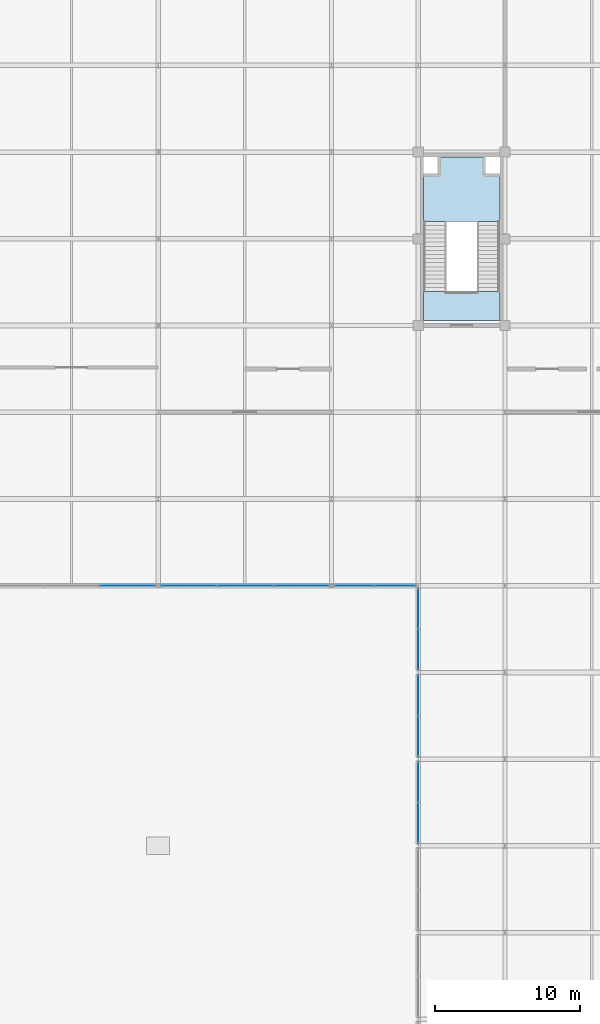
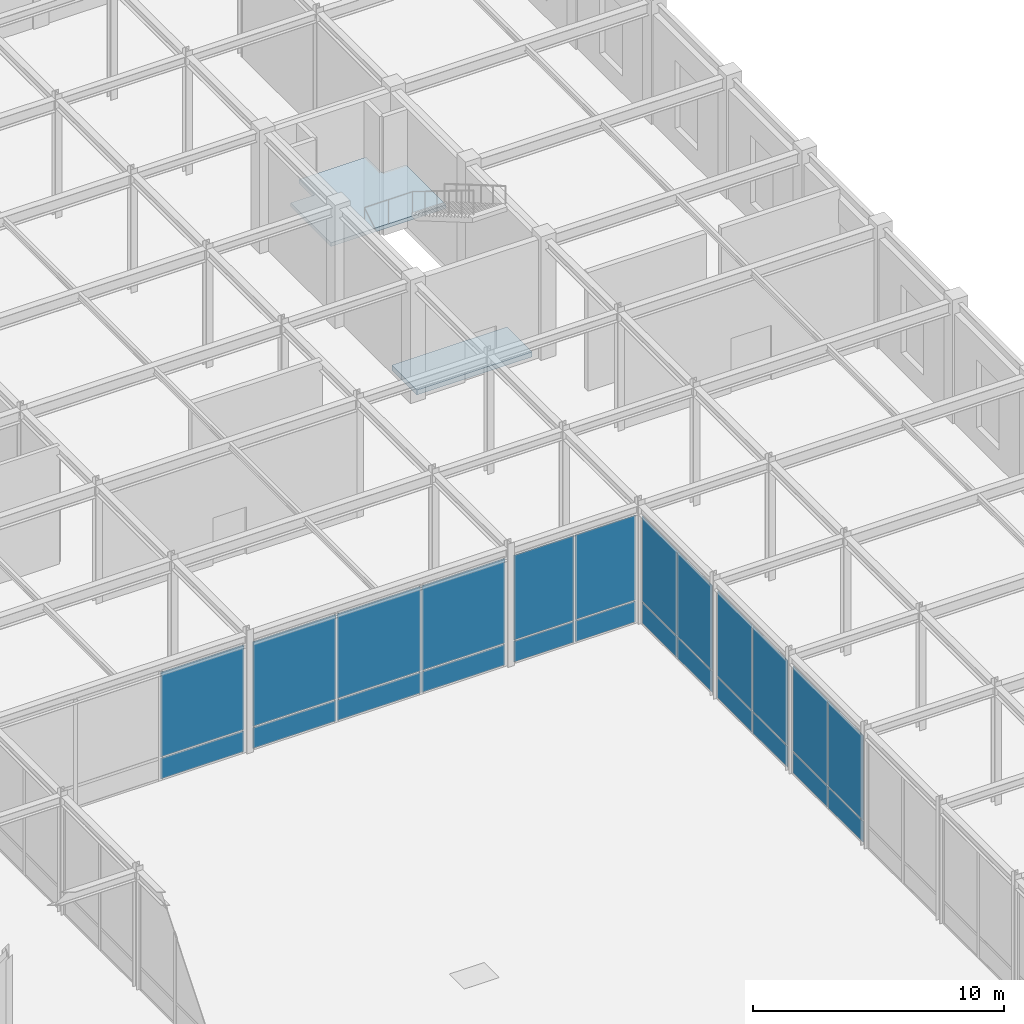
# One storey, part 96 of 108: 24 plates, 2 slabs, 7 elements without a shape of their own.
"""IFC4 building model written with IfcOpenShell, lengths in metres."""

import ifcopenshell
import ifcopenshell.guid

model = None  # the IFC model being written
_history = None  # IfcOwnerHistory: only IFC2X3 demands one
_inside = {}  # id of a spatial element -> (the spatial element, [elements in it])
_under = {}  # id of a project, library or spatial element -> (it, [spatial elements below it])
_declared = {}  # id of a project -> (the project, [libraries it declares])
_typed = {}  # id of a type object -> (the type object, [elements of that type])
_made_of = {}  # id of a material, layer set ... -> (it, [elements and type objects made of it])


def new_model(schema):
    """Start an empty IFC model of exactly this schema.

    Asked for "IFC4X3", IfcOpenShell would pick the latest addendum, in which some entities
    have other attributes; the version numbers below select the first issue.
    IFC2X3 requires an IfcOwnerHistory on every rooted entity: one is made here for all.
    """
    global model, _history
    if schema == "IFC4X3":
        model = ifcopenshell.file(schema_version=(4, 3, 0, 0))
    else:
        model = ifcopenshell.file(schema=schema)
    _inside.clear()
    _under.clear()
    _declared.clear()
    _typed.clear()
    _made_of.clear()
    _history = None
    if model.schema == "IFC2X3":
        org = make("IfcOrganization", Name="unknown")
        user = make(
            "IfcPersonAndOrganization",
            ThePerson=make("IfcPerson", FamilyName="unknown"),
            TheOrganization=org,
        )
        app = make(
            "IfcApplication",
            ApplicationDeveloper=org,
            Version="unknown",
            ApplicationFullName="unknown",
            ApplicationIdentifier="unknown",
        )
        _history = make(
            "IfcOwnerHistory",
            OwningUser=user,
            OwningApplication=app,
            ChangeAction="ADDED",
            CreationDate=0,
        )
    return model


def make(cls, **values):
    """One entity of the class cls with the attributes given. An attribute that is None is left unset."""
    return model.create_entity(
        cls, **{name: value for name, value in values.items() if value is not None}
    )


def rooted(cls, **values):
    """An entity with a GlobalId (a new one), such as an element, a storey or a relation."""
    return make(cls, GlobalId=ifcopenshell.guid.new(), OwnerHistory=_history, **values)


def si_unit(unit_type, name, prefix=None):
    """IfcSIUnit, for example si_unit("LENGTHUNIT", "METRE", prefix="MILLI")."""
    return make("IfcSIUnit", UnitType=unit_type, Prefix=prefix, Name=name)


def assignment(units):
    """IfcUnitAssignment: the units of a project."""
    return None if units is None else make("IfcUnitAssignment", Units=units)


def point(xyz):
    """IfcCartesianPoint."""
    return None if xyz is None else make("IfcCartesianPoint", Coordinates=xyz)


def direction(xyz):
    """IfcDirection."""
    return None if xyz is None else make("IfcDirection", DirectionRatios=xyz)


def frame(location, z_axis=None, x_axis=None):
    """IfcAxis2Placement3D, a coordinate frame: its origin and axes. An axis left out is left unset."""
    return make(
        "IfcAxis2Placement3D",
        Location=point(location),
        Axis=direction(z_axis),
        RefDirection=direction(x_axis),
    )


def frame_2d(location, x_axis=None):
    """IfcAxis2Placement2D, a coordinate frame in the plane: its origin and x axis."""
    return make(
        "IfcAxis2Placement2D", Location=point(location), RefDirection=direction(x_axis)
    )


def origin():
    """The frame at (0, 0, 0) with its axes left unset."""
    return frame((0.0, 0.0, 0.0))


def origin_2d():
    """The frame at (0, 0) in the plane with its x axis left unset."""
    return frame_2d((0.0, 0.0))


def place(relative_to, where):
    """IfcLocalPlacement: puts the frame where relative to a parent placement (None: the world)."""
    return make(
        "IfcLocalPlacement", PlacementRelTo=relative_to, RelativePlacement=where
    )


def context(
    kind, dimensions, precision=None, world=None, true_north=None, identifier=None
):
    """IfcGeometricRepresentationContext, for example the 3D "Model" context."""
    return make(
        "IfcGeometricRepresentationContext",
        ContextIdentifier=identifier,
        ContextType=kind,
        CoordinateSpaceDimension=dimensions,
        Precision=precision,
        WorldCoordinateSystem=world,
        TrueNorth=true_north,
    )


def subcontext(parent, identifier, kind, view, scale=None):
    """IfcGeometricRepresentationSubContext, for example "Body" below "Model"."""
    return make(
        "IfcGeometricRepresentationSubContext",
        ContextIdentifier=identifier,
        ContextType=kind,
        ParentContext=parent,
        TargetScale=scale,
        TargetView=view,
    )


def project(units=None, contexts=None):
    """IfcProject with its units and contexts."""
    return rooted(
        "IfcProject",
        Name="project",
        RepresentationContexts=contexts,
        UnitsInContext=assignment(units),
    )


def spatial(cls, under=None, at=None, **own):
    """A site, building, storey or space (cls), placed at a placement, below another one or the project."""
    s = rooted(cls, ObjectPlacement=at, **own)
    if under is not None:
        _under.setdefault(under.id(), (under, []))[1].append(s)
    return s


def polyline(points):
    """IfcPolyline through the points."""
    return make("IfcPolyline", Points=[point(p) for p in points])


def profile(cls, at=None, kind="AREA", **sizes):
    """A parametric profile (cls). Its sizes go by their IFC names, for example OverallWidth=200.0."""
    return make(cls, ProfileType=kind, Position=at, **sizes)


def rectangle(**sizes):
    """IfcRectangleProfileDef."""
    return profile("IfcRectangleProfileDef", **sizes)


def outline(outer, holes=None, kind="AREA"):
    """IfcArbitraryClosedProfileDef: a profile drawn as a closed curve; with holes, ...WithVoids."""
    if holes is None:
        return make("IfcArbitraryClosedProfileDef", ProfileType=kind, OuterCurve=outer)
    return make(
        "IfcArbitraryProfileDefWithVoids",
        ProfileType=kind,
        OuterCurve=outer,
        InnerCurves=holes,
    )


def extrude(swept, where, along, depth):
    """IfcExtrudedAreaSolid: the profile swept, set in the frame where, extruded along a direction by depth."""
    return make(
        "IfcExtrudedAreaSolid",
        SweptArea=swept,
        Position=where,
        ExtrudedDirection=direction(along),
        Depth=depth,
    )


def shape(context_of_items, identifier, shape_type, items):
    """IfcShapeRepresentation: the items that make up one representation, for example the "Body"."""
    return make(
        "IfcShapeRepresentation",
        ContextOfItems=context_of_items,
        RepresentationIdentifier=identifier,
        RepresentationType=shape_type,
        Items=items,
    )


def material(Name=None, Category=None):
    """IfcMaterial."""
    return make("IfcMaterial", Name=Name, Category=Category)


def layer(
    of_material, thickness, ventilated=None, Name=None, Category=None, Priority=None
):
    """IfcMaterialLayer: one layer of a wall or slab, of a material (None: an air gap)."""
    return make(
        "IfcMaterialLayer",
        Material=of_material,
        LayerThickness=thickness,
        IsVentilated=ventilated,
        Name=Name,
        Category=Category,
        Priority=Priority,
    )


def layer_set(layers, Name=None):
    """IfcMaterialLayerSet."""
    return make("IfcMaterialLayerSet", MaterialLayers=layers, LayerSetName=Name)


def made_of(thing, what):
    """Note that an element or type object is made of a material, layer set ...; save() writes the relation."""
    if what is not None:
        _made_of.setdefault(what.id(), (what, []))[1].append(thing)
    return thing


def type_object(cls, material=None, **own):
    """A type object (cls), such as IfcWallType, which elements share."""
    return made_of(rooted(cls, **own), material)


def element(
    cls,
    number,
    at=None,
    inside=None,
    cuts=None,
    type_object=None,
    material=None,
    context=None,
    identifier="Body",
    shape_type=None,
    held_by="IfcProductDefinitionShape",
    body=None,
    shapes=None,
    **own,
):
    """One element of the class cls, such as IfcWall. Its Tag is "e" and its number.

    at: its placement. inside: the storey or other place that contains it. cuts: it is an
    opening in that element (IfcRelVoidsElement). A single representation is given by context,
    identifier, shape_type and body (its items); several are given by shapes. held_by: the class
    of the entity that holds the representations. save() writes the other relations.
    """
    e = rooted(cls, Tag="e%d" % number, ObjectPlacement=at, **own)
    if body is not None:
        shapes = [shape(context, identifier, shape_type, body)]
    if shapes is not None:
        e.Representation = make(held_by, Representations=shapes)
    if inside is not None:
        _inside.setdefault(inside.id(), (inside, []))[1].append(e)
    if cuts is not None:
        rooted(
            "IfcRelVoidsElement", RelatingBuildingElement=cuts, RelatedOpeningElement=e
        )
    if type_object is not None:
        _typed.setdefault(type_object.id(), (type_object, []))[1].append(e)
    return made_of(e, material)


def aggregate(whole, parts):
    """IfcRelAggregates: a whole, such as a stair, and the parts it consists of."""
    return rooted("IfcRelAggregates", RelatingObject=whole, RelatedObjects=parts)


def save(model, path):
    """Write the relations noted so far, then the file.

    IfcRelAggregates (storeys below a building ...), IfcRelContainedInSpatialStructure (elements
    in a storey), IfcRelDefinesByType, IfcRelAssociatesMaterial and IfcRelDeclares: one each for
    every whole, place, type object, material and project.
    """
    for whole, parts in _under.values():
        aggregate(whole, parts)
    for where, things in _inside.values():
        rooted(
            "IfcRelContainedInSpatialStructure",
            RelatedElements=things,
            RelatingStructure=where,
        )
    for kind, things in _typed.values():
        rooted("IfcRelDefinesByType", RelatedObjects=things, RelatingType=kind)
    for what, things in _made_of.values():
        rooted("IfcRelAssociatesMaterial", RelatedObjects=things, RelatingMaterial=what)
    for by, libraries in _declared.values():
        rooted("IfcRelDeclares", RelatingContext=by, RelatedDefinitions=libraries)
    model.write(path)


model = new_model("IFC4")

# Units and contexts
model_context = context("Model", 3, precision=1e-05, world=origin(), true_north=direction((0.0, 1.0)))
body_context = subcontext(model_context, "Body", "Model", "MODEL_VIEW")
ifc_project = project(units=[si_unit("LENGTHUNIT", "METRE"), si_unit("AREAUNIT", "SQUARE_METRE"), si_unit("VOLUMEUNIT", "CUBIC_METRE"), si_unit("PLANEANGLEUNIT", "RADIAN"), si_unit("MASSUNIT", "GRAM", prefix="KILO")], contexts=[model_context])

# Site, building, storey
site_placement = place(None, origin())
site = spatial("IfcSite", under=ifc_project, at=site_placement, CompositionType="ELEMENT")
building_placement = place(site_placement, origin())
building = spatial("IfcBuilding", under=site, at=building_placement, Name="Zlatovratsky Civic Hall", CompositionType="ELEMENT")
storey_placement = place(building_placement, frame((0.0, 0.0, 6.0)))
storey = spatial("IfcBuildingStorey", under=building, at=storey_placement, Name="L02", CompositionType="ELEMENT", Elevation=6.0)

# Curtain wall, plates
ifc_material_1 = material(Name="Anodised bronze aluminium", Category="aluminium")
ifc_layer_1 = layer(ifc_material_1, 0.159912109375)
ifc_layer_set_1 = layer_set([ifc_layer_1], Name="Anodised bronze aluminium")
curtain_wall_type_1 = type_object("IfcCurtainWallType", Name="CurtainWall_Bronze_11700x5310_05", PredefinedType="NOTDEFINED", material=ifc_layer_set_1)
curtain_wall_1_placement = place(storey_placement, origin())
curtain_wall_1 = element("IfcCurtainWall", 1, at=curtain_wall_1_placement, inside=storey, type_object=curtain_wall_type_1, Name="CW-030", PredefinedType="NOTDEFINED")
ifc_material_2 = material(Name="Low-E laminated double glazing", Category="glass")
ifc_layer_2 = layer(ifc_material_2, 0.02392578125)
ifc_layer_set_2 = layer_set([ifc_layer_2], Name="Low-E laminated double glazing")
plate_type = type_object("IfcPlateType", Name="Panel_CourtGlazing_24", PredefinedType="CURTAIN_PANEL", material=ifc_layer_set_2)
plate_1_placement = place(storey_placement, frame((129.885009765625, 66.0, 0.06005859375), z_axis=(0.0, 0.0, 1.0), x_axis=(1.0, 0.0, 0.0)))
plate_1 = element("IfcPlate", 2, at=plate_1_placement, type_object=plate_type, Name="CW-05 panel 3.1", PredefinedType="CURTAIN_PANEL", context=body_context, shape_type="SweptSolid", body=[
    extrude(rectangle(XDim=3.81005859375, YDim=0.02392578125, at=origin_2d()), origin(), (0.0, 0.0, 1.0), 1.010009765625),
])
plate_2_placement = place(storey_placement, frame((129.885009765625, 66.0, 1.1298828125), z_axis=(0.0, 0.0, 1.0), x_axis=(1.0, 0.0, 0.0)))
plate_2 = element("IfcPlate", 3, at=plate_2_placement, type_object=plate_type, Name="CW-05 panel 3.2", PredefinedType="CURTAIN_PANEL", context=body_context, shape_type="SweptSolid", body=[
    extrude(rectangle(XDim=3.81005859375, YDim=0.02392578125, at=origin_2d()), origin(), (0.0, 0.0, 1.0), 4.1201171875),
])
aggregate(curtain_wall_1, [plate_1, plate_2])

curtain_wall_2_placement = place(storey_placement, origin())
curtain_wall_2 = element("IfcCurtainWall", 4, at=curtain_wall_2_placement, inside=storey, type_object=curtain_wall_type_1, Name="CW-031", PredefinedType="NOTDEFINED")
plate_3_placement = place(storey_placement, frame((134.114990234375, 66.0, 0.06005859375), z_axis=(0.0, 0.0, 1.0), x_axis=(1.0, 0.0, 0.0)))
plate_3 = element("IfcPlate", 5, at=plate_3_placement, type_object=plate_type, Name="CW-05 panel 1.1", PredefinedType="CURTAIN_PANEL", context=body_context, shape_type="SweptSolid", body=[
    extrude(rectangle(XDim=3.81005859375, YDim=0.02392578125, at=origin_2d()), origin(), (0.0, 0.0, 1.0), 1.010009765625),
])
plate_4_placement = place(storey_placement, frame((134.114990234375, 66.0, 1.1298828125), z_axis=(0.0, 0.0, 1.0), x_axis=(1.0, 0.0, 0.0)))
plate_4 = element("IfcPlate", 6, at=plate_4_placement, type_object=plate_type, Name="CW-05 panel 1.2", PredefinedType="CURTAIN_PANEL", context=body_context, shape_type="SweptSolid", body=[
    extrude(rectangle(XDim=3.81005859375, YDim=0.02392578125, at=origin_2d()), origin(), (0.0, 0.0, 1.0), 4.1201171875),
])
plate_5_placement = place(storey_placement, frame((138.0, 66.0, 0.06005859375), z_axis=(0.0, 0.0, 1.0), x_axis=(1.0, 0.0, 0.0)))
plate_5 = element("IfcPlate", 7, at=plate_5_placement, type_object=plate_type, Name="CW-05 panel 2.1", PredefinedType="CURTAIN_PANEL", context=body_context, shape_type="SweptSolid", body=[
    extrude(rectangle(XDim=3.840087890625, YDim=0.02392578125, at=origin_2d()), origin(), (0.0, 0.0, 1.0), 1.010009765625),
])
plate_6_placement = place(storey_placement, frame((138.0, 66.0, 1.1298828125), z_axis=(0.0, 0.0, 1.0), x_axis=(1.0, 0.0, 0.0)))
plate_6 = element("IfcPlate", 8, at=plate_6_placement, type_object=plate_type, Name="CW-05 panel 2.2", PredefinedType="CURTAIN_PANEL", context=body_context, shape_type="SweptSolid", body=[
    extrude(rectangle(XDim=3.840087890625, YDim=0.02392578125, at=origin_2d()), origin(), (0.0, 0.0, 1.0), 4.1201171875),
])
plate_7_placement = place(storey_placement, frame((141.885009765625, 66.0, 0.06005859375), z_axis=(0.0, 0.0, 1.0), x_axis=(1.0, 0.0, 0.0)))
plate_7 = element("IfcPlate", 9, at=plate_7_placement, type_object=plate_type, Name="CW-05 panel 3.1", PredefinedType="CURTAIN_PANEL", context=body_context, shape_type="SweptSolid", body=[
    extrude(rectangle(XDim=3.81005859375, YDim=0.02392578125, at=origin_2d()), origin(), (0.0, 0.0, 1.0), 1.010009765625),
])
plate_8_placement = place(storey_placement, frame((141.885009765625, 66.0, 1.1298828125), z_axis=(0.0, 0.0, 1.0), x_axis=(1.0, 0.0, 0.0)))
plate_8 = element("IfcPlate", 10, at=plate_8_placement, type_object=plate_type, Name="CW-05 panel 3.2", PredefinedType="CURTAIN_PANEL", context=body_context, shape_type="SweptSolid", body=[
    extrude(rectangle(XDim=3.81005859375, YDim=0.02392578125, at=origin_2d()), origin(), (0.0, 0.0, 1.0), 4.1201171875),
])
aggregate(curtain_wall_2, [plate_3, plate_4, plate_5, plate_6, plate_7, plate_8])

ifc_layer_3 = layer(ifc_material_1, 0.159912109375)
ifc_layer_set_3 = layer_set([ifc_layer_3], Name="Anodised bronze aluminium")
curtain_wall_type_2 = type_object("IfcCurtainWallType", Name="CurtainWall_Bronze_5700x5310_06", PredefinedType="NOTDEFINED", material=ifc_layer_set_3)
curtain_wall_3_placement = place(storey_placement, origin())
curtain_wall_3 = element("IfcCurtainWall", 11, at=curtain_wall_3_placement, inside=storey, type_object=curtain_wall_type_2, Name="CW-032", PredefinedType="NOTDEFINED")
plate_9_placement = place(storey_placement, frame((145.590087890625, 66.0, 0.06005859375), z_axis=(0.0, 0.0, 1.0), x_axis=(1.0, 0.0, 0.0)))
plate_9 = element("IfcPlate", 12, at=plate_9_placement, type_object=plate_type, Name="CW-06 panel 1.1", PredefinedType="CURTAIN_PANEL", context=body_context, shape_type="SweptSolid", body=[
    extrude(rectangle(XDim=2.760009765625, YDim=0.02392578125, at=origin_2d()), origin(), (0.0, 0.0, 1.0), 1.010009765625),
])
plate_10_placement = place(storey_placement, frame((145.590087890625, 66.0, 1.1298828125), z_axis=(0.0, 0.0, 1.0), x_axis=(1.0, 0.0, 0.0)))
plate_10 = element("IfcPlate", 13, at=plate_10_placement, type_object=plate_type, Name="CW-06 panel 1.2", PredefinedType="CURTAIN_PANEL", context=body_context, shape_type="SweptSolid", body=[
    extrude(rectangle(XDim=2.760009765625, YDim=0.02392578125, at=origin_2d()), origin(), (0.0, 0.0, 1.0), 4.1201171875),
])
plate_11_placement = place(storey_placement, frame((148.409912109375, 66.0, 0.06005859375), z_axis=(0.0, 0.0, 1.0), x_axis=(1.0, 0.0, 0.0)))
plate_11 = element("IfcPlate", 14, at=plate_11_placement, type_object=plate_type, Name="CW-06 panel 2.1", PredefinedType="CURTAIN_PANEL", context=body_context, shape_type="SweptSolid", body=[
    extrude(rectangle(XDim=2.760009765625, YDim=0.02392578125, at=origin_2d()), origin(), (0.0, 0.0, 1.0), 1.010009765625),
])
plate_12_placement = place(storey_placement, frame((148.409912109375, 66.0, 1.1298828125), z_axis=(0.0, 0.0, 1.0), x_axis=(1.0, 0.0, 0.0)))
plate_12 = element("IfcPlate", 15, at=plate_12_placement, type_object=plate_type, Name="CW-06 panel 2.2", PredefinedType="CURTAIN_PANEL", context=body_context, shape_type="SweptSolid", body=[
    extrude(rectangle(XDim=2.760009765625, YDim=0.02392578125, at=origin_2d()), origin(), (0.0, 0.0, 1.0), 4.1201171875),
])
aggregate(curtain_wall_3, [plate_9, plate_10, plate_11, plate_12])

curtain_wall_4_placement = place(storey_placement, origin())
curtain_wall_4 = element("IfcCurtainWall", 16, at=curtain_wall_4_placement, inside=storey, type_object=curtain_wall_type_2, Name="CW-042", PredefinedType="NOTDEFINED")
plate_13_placement = place(storey_placement, frame((150.0, 49.590087890625, 0.06005859375), z_axis=(0.0, 0.0, 1.0), x_axis=(0.0, 1.0, 0.0)))
plate_13 = element("IfcPlate", 17, at=plate_13_placement, type_object=plate_type, Name="CW-06 panel 1.1", PredefinedType="CURTAIN_PANEL", context=body_context, shape_type="SweptSolid", body=[
    extrude(rectangle(XDim=2.760009765625, YDim=0.02392578125, at=origin_2d()), origin(), (0.0, 0.0, 1.0), 1.010009765625),
])
plate_14_placement = place(storey_placement, frame((150.0, 49.590087890625, 1.1298828125), z_axis=(0.0, 0.0, 1.0), x_axis=(0.0, 1.0, 0.0)))
plate_14 = element("IfcPlate", 18, at=plate_14_placement, type_object=plate_type, Name="CW-06 panel 1.2", PredefinedType="CURTAIN_PANEL", context=body_context, shape_type="SweptSolid", body=[
    extrude(rectangle(XDim=2.760009765625, YDim=0.02392578125, at=origin_2d()), origin(), (0.0, 0.0, 1.0), 4.1201171875),
])
plate_15_placement = place(storey_placement, frame((150.0, 52.409912109375, 0.06005859375), z_axis=(0.0, 0.0, 1.0), x_axis=(0.0, 1.0, 0.0)))
plate_15 = element("IfcPlate", 19, at=plate_15_placement, type_object=plate_type, Name="CW-06 panel 2.1", PredefinedType="CURTAIN_PANEL", context=body_context, shape_type="SweptSolid", body=[
    extrude(rectangle(XDim=2.760009765625, YDim=0.02392578125, at=origin_2d()), origin(), (0.0, 0.0, 1.0), 1.010009765625),
])
plate_16_placement = place(storey_placement, frame((150.0, 52.409912109375, 1.1298828125), z_axis=(0.0, 0.0, 1.0), x_axis=(0.0, 1.0, 0.0)))
plate_16 = element("IfcPlate", 20, at=plate_16_placement, type_object=plate_type, Name="CW-06 panel 2.2", PredefinedType="CURTAIN_PANEL", context=body_context, shape_type="SweptSolid", body=[
    extrude(rectangle(XDim=2.760009765625, YDim=0.02392578125, at=origin_2d()), origin(), (0.0, 0.0, 1.0), 4.1201171875),
])
aggregate(curtain_wall_4, [plate_13, plate_14, plate_15, plate_16])

curtain_wall_5_placement = place(storey_placement, origin())
curtain_wall_5 = element("IfcCurtainWall", 21, at=curtain_wall_5_placement, inside=storey, type_object=curtain_wall_type_2, Name="CW-043", PredefinedType="NOTDEFINED")
plate_17_placement = place(storey_placement, frame((150.0, 55.590087890625, 0.06005859375), z_axis=(0.0, 0.0, 1.0), x_axis=(0.0, 1.0, 0.0)))
plate_17 = element("IfcPlate", 22, at=plate_17_placement, type_object=plate_type, Name="CW-06 panel 1.1", PredefinedType="CURTAIN_PANEL", context=body_context, shape_type="SweptSolid", body=[
    extrude(rectangle(XDim=2.760009765625, YDim=0.02392578125, at=origin_2d()), origin(), (0.0, 0.0, 1.0), 1.010009765625),
])
plate_18_placement = place(storey_placement, frame((150.0, 55.590087890625, 1.1298828125), z_axis=(0.0, 0.0, 1.0), x_axis=(0.0, 1.0, 0.0)))
plate_18 = element("IfcPlate", 23, at=plate_18_placement, type_object=plate_type, Name="CW-06 panel 1.2", PredefinedType="CURTAIN_PANEL", context=body_context, shape_type="SweptSolid", body=[
    extrude(rectangle(XDim=2.760009765625, YDim=0.02392578125, at=origin_2d()), origin(), (0.0, 0.0, 1.0), 4.1201171875),
])
plate_19_placement = place(storey_placement, frame((150.0, 58.409912109375, 0.06005859375), z_axis=(0.0, 0.0, 1.0), x_axis=(0.0, 1.0, 0.0)))
plate_19 = element("IfcPlate", 24, at=plate_19_placement, type_object=plate_type, Name="CW-06 panel 2.1", PredefinedType="CURTAIN_PANEL", context=body_context, shape_type="SweptSolid", body=[
    extrude(rectangle(XDim=2.760009765625, YDim=0.02392578125, at=origin_2d()), origin(), (0.0, 0.0, 1.0), 1.010009765625),
])
plate_20_placement = place(storey_placement, frame((150.0, 58.409912109375, 1.1298828125), z_axis=(0.0, 0.0, 1.0), x_axis=(0.0, 1.0, 0.0)))
plate_20 = element("IfcPlate", 25, at=plate_20_placement, type_object=plate_type, Name="CW-06 panel 2.2", PredefinedType="CURTAIN_PANEL", context=body_context, shape_type="SweptSolid", body=[
    extrude(rectangle(XDim=2.760009765625, YDim=0.02392578125, at=origin_2d()), origin(), (0.0, 0.0, 1.0), 4.1201171875),
])
aggregate(curtain_wall_5, [plate_17, plate_18, plate_19, plate_20])

curtain_wall_6_placement = place(storey_placement, origin())
curtain_wall_6 = element("IfcCurtainWall", 26, at=curtain_wall_6_placement, inside=storey, type_object=curtain_wall_type_2, Name="CW-044", PredefinedType="NOTDEFINED")
plate_21_placement = place(storey_placement, frame((150.0, 61.590087890625, 0.06005859375), z_axis=(0.0, 0.0, 1.0), x_axis=(0.0, 1.0, 0.0)))
plate_21 = element("IfcPlate", 27, at=plate_21_placement, type_object=plate_type, Name="CW-06 panel 1.1", PredefinedType="CURTAIN_PANEL", context=body_context, shape_type="SweptSolid", body=[
    extrude(rectangle(XDim=2.760009765625, YDim=0.02392578125, at=origin_2d()), origin(), (0.0, 0.0, 1.0), 1.010009765625),
])
plate_22_placement = place(storey_placement, frame((150.0, 61.590087890625, 1.1298828125), z_axis=(0.0, 0.0, 1.0), x_axis=(0.0, 1.0, 0.0)))
plate_22 = element("IfcPlate", 28, at=plate_22_placement, type_object=plate_type, Name="CW-06 panel 1.2", PredefinedType="CURTAIN_PANEL", context=body_context, shape_type="SweptSolid", body=[
    extrude(rectangle(XDim=2.760009765625, YDim=0.02392578125, at=origin_2d()), origin(), (0.0, 0.0, 1.0), 4.1201171875),
])
plate_23_placement = place(storey_placement, frame((150.0, 64.409912109375, 0.06005859375), z_axis=(0.0, 0.0, 1.0), x_axis=(0.0, 1.0, 0.0)))
plate_23 = element("IfcPlate", 29, at=plate_23_placement, type_object=plate_type, Name="CW-06 panel 2.1", PredefinedType="CURTAIN_PANEL", context=body_context, shape_type="SweptSolid", body=[
    extrude(rectangle(XDim=2.760009765625, YDim=0.02392578125, at=origin_2d()), origin(), (0.0, 0.0, 1.0), 1.010009765625),
])
plate_24_placement = place(storey_placement, frame((150.0, 64.409912109375, 1.1298828125), z_axis=(0.0, 0.0, 1.0), x_axis=(0.0, 1.0, 0.0)))
plate_24 = element("IfcPlate", 30, at=plate_24_placement, type_object=plate_type, Name="CW-06 panel 2.2", PredefinedType="CURTAIN_PANEL", context=body_context, shape_type="SweptSolid", body=[
    extrude(rectangle(XDim=2.760009765625, YDim=0.02392578125, at=origin_2d()), origin(), (0.0, 0.0, 1.0), 4.1201171875),
])
aggregate(curtain_wall_6, [plate_21, plate_22, plate_23, plate_24])

# Slab
ifc_material_3 = material(Name="Concrete C30/37 (B35)", Category="concrete")
ifc_layer_4 = layer(ifc_material_3, 0.239990234375)
ifc_layer_set_4 = layer_set([ifc_layer_4], Name="Concrete C30/37 (B35)")
slab_type_1 = type_object("IfcSlabType", Name="Slab_CivicPodiumFloor_240", PredefinedType="FLOOR", material=ifc_layer_set_4)
slab_1_placement = place(storey_placement, frame((0.0, 0.0, -0.239990234375)))
element("IfcSlab", 31, at=slab_1_placement, inside=storey, type_object=slab_type_1, Name="SL-028", PredefinedType="FLOOR", context=body_context, shape_type="SweptSolid", body=[
    extrude(outline(polyline([(150.35009765625, 84.35009765625), (155.64990234375, 84.35009765625), (155.64990234375, 86.35009765625), (150.35009765625, 86.35009765625), (150.35009765625, 84.35009765625)])), origin(), (0.0, 0.0, 1.0), 0.239990234375),
])

# Stair, slab
stair_type = type_object("IfcStairType", Name="Stair_HALF_36R_1600W_07", PredefinedType="HALF_TURN_STAIR", material=ifc_material_3)
stair_placement = place(storey_placement, origin())
stair = element("IfcStair", 32, at=stair_placement, inside=storey, type_object=stair_type, Name="ST-052", PredefinedType="HALF_TURN_STAIR")
ifc_layer_5 = layer(ifc_material_3, 0.179931640625)
ifc_layer_set_5 = layer_set([ifc_layer_5], Name="Concrete C30/37 (B35)")
slab_type_2 = type_object("IfcSlabType", Name="Slab_StairLanding_180", PredefinedType="LANDING", material=ifc_layer_set_5)
slab_2_placement = place(storey_placement, frame((0.0, 0.0, 2.820068359375)))
slab_2 = element("IfcSlab", 33, at=slab_2_placement, type_object=slab_type_2, Name="SL-LD-52", PredefinedType="LANDING", context=body_context, shape_type="SweptSolid", body=[
    extrude(outline(polyline([(150.35009765625, 91.195068359375), (155.64990234375, 91.195068359375), (155.64990234375, 94.39990234375), (154.550048828125, 94.39990234375), (154.550048828125, 95.64990234375), (151.449951171875, 95.64990234375), (151.449951171875, 94.39990234375), (150.35009765625, 94.39990234375), (150.35009765625, 91.195068359375)])), origin(), (0.0, 0.0, 1.0), 0.179931640625),
])
aggregate(stair, [slab_2])

save(model, "model.ifc")
